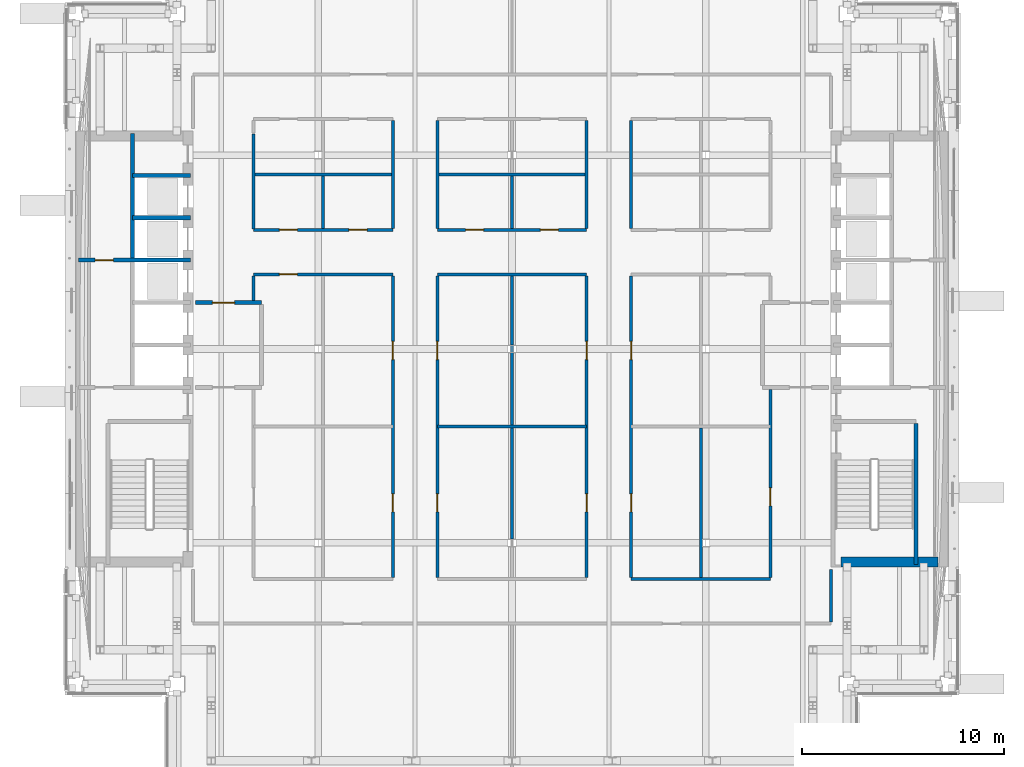
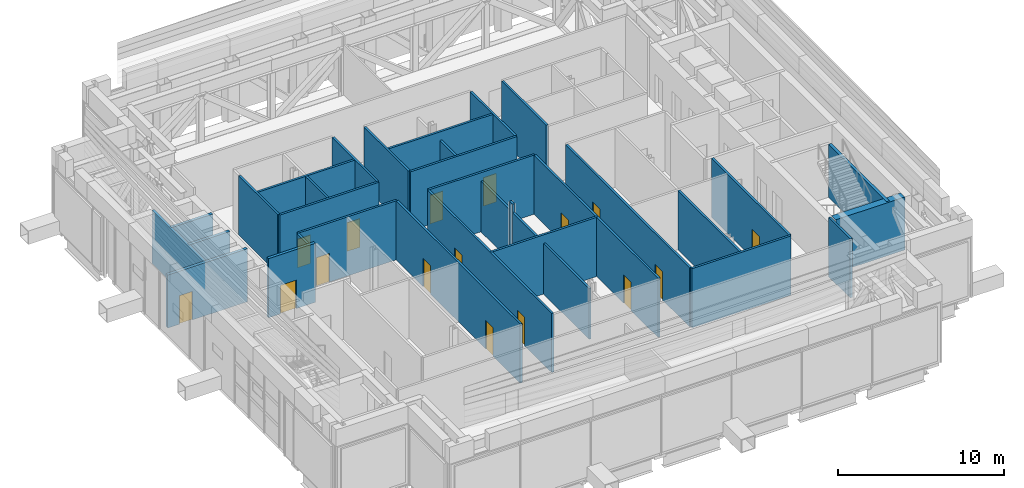
# One storey, part 12 of 29: 34 walls, 16 doors, 16 openings.
"""IFC4 building model written with IfcOpenShell, lengths in metres."""

from ifc_helpers import new_model, si_unit, direction, frame, frame_2d, origin, place, context, subcontext, project, spatial, rectangle, extrude, material, layer, layer_set, type_object, element, fill, save


model = new_model("IFC4")

# Units and contexts
model_context = context("Model", 3, precision=1e-05, world=origin(), true_north=direction((0.0, 1.0)))
body_context = subcontext(model_context, "Body", "Model", "MODEL_VIEW")
ifc_project = project(units=[si_unit("LENGTHUNIT", "METRE"), si_unit("AREAUNIT", "SQUARE_METRE"), si_unit("VOLUMEUNIT", "CUBIC_METRE"), si_unit("PLANEANGLEUNIT", "RADIAN"), si_unit("MASSUNIT", "GRAM", prefix="KILO")], contexts=[model_context])

# Site, building, storey
site_placement = place(None, origin())
site = spatial("IfcSite", under=ifc_project, at=site_placement, CompositionType="ELEMENT")
building_placement = place(site_placement, origin())
building = spatial("IfcBuilding", under=site, at=building_placement, Name="Cobrizo Arcos Hotel Tower", CompositionType="ELEMENT")
storey_placement = place(building_placement, frame((0.0, 0.0, 186.5)))
storey = spatial("IfcBuildingStorey", under=building, at=storey_placement, Name="L48", CompositionType="ELEMENT", Elevation=186.5)

# Walls
ifc_material_1 = material(Name="Gypsum board partition")
ifc_layer_1 = layer(ifc_material_1, 0.14990234375)
ifc_layer_set_1 = layer_set([ifc_layer_1], Name="Corridor wall EI 60 150")
wall_type_1 = type_object("IfcWallType", Name="Corridor wall EI 60 150", PredefinedType="PARTITIONING", material=ifc_layer_set_1)
wall_1_placement = place(storey_placement, frame((5.89990234375, -11.39990234375, 0.0), z_axis=(0.0, 0.0, 1.0), x_axis=(1.0, 0.0, 0.0)))
element("IfcWall", 1, at=wall_1_placement, inside=storey, type_object=wall_type_1, Name="Partition 004", PredefinedType="PARTITIONING", context=body_context, shape_type="SweptSolid", body=[
    extrude(rectangle(XDim=6.900146484375, YDim=0.14990234375, at=frame_2d((3.4501953125, 0.0))), origin(), (0.0, 0.0, 1.0), 4.35009765625),
])
wall_2_placement = place(storey_placement, frame((-3.699951171875, -3.85009765625, 0.0), z_axis=(0.0, 0.0, 1.0), x_axis=(1.0, 0.0, 0.0)))
element("IfcWall", 2, at=wall_2_placement, inside=storey, type_object=wall_type_1, Name="Partition 006", PredefinedType="PARTITIONING", context=body_context, shape_type="SweptSolid", body=[
    extrude(rectangle(XDim=7.39990234375, YDim=0.14990234375, at=frame_2d((3.699951171875, 0.0))), origin(), (0.0, 0.0, 1.0), 4.35009765625),
])

# Wall, opening, door
wall_3_placement = place(storey_placement, frame((-12.800048828125, 3.699951171875, 0.0), z_axis=(0.0, 0.0, 1.0), x_axis=(1.0, 0.0, 0.0)))
wall_3 = element("IfcWall", 3, at=wall_3_placement, inside=storey, type_object=wall_type_1, Name="Partition 020", PredefinedType="PARTITIONING", context=body_context, shape_type="SweptSolid", body=[
    extrude(rectangle(XDim=6.900146484375, YDim=0.14990234375, at=frame_2d((3.4501953125, 0.0))), origin(), (0.0, 0.0, 1.0), 4.35009765625),
])
opening_1_placement = place(wall_3_placement, frame((1.27490234375, 0.0, 0.0)))
opening_1 = element("IfcOpeningElement", 4, at=opening_1_placement, cuts=wall_3, Name="Opening RD-26", PredefinedType="OPENING", context=body_context, shape_type="SweptSolid", body=[
    extrude(rectangle(XDim=0.89990234375, YDim=2.10009765625, at=frame_2d((0.449951171875, 1.050048828125))), frame((0.0, 0.0869140625, 0.0), z_axis=(0.0, -1.0, 0.0), x_axis=(1.0, 0.0, 0.0)), (0.0, 0.0, 1.0), 0.173828125),
])
ifc_material_2 = material(Name="Timber door leaf", Category="wood")
door_type_1 = type_object("IfcDoorType", Name="Room door FD30 900x2100", OperationType="SINGLE_SWING_LEFT", PredefinedType="DOOR", material=ifc_material_2)
door_1_placement = place(opening_1_placement, origin())
door_1 = element("IfcDoor", 5, at=door_1_placement, inside=storey, type_object=door_type_1, Name="Door RD-26", OperationType="SINGLE_SWING_LEFT", OverallHeight=2.10009765625, OverallWidth=0.89990234375, PredefinedType="DOOR", context=body_context, shape_type="SweptSolid", body=[
    extrude(rectangle(XDim=0.89990234375, YDim=2.10009765625, at=frame_2d((0.449951171875, 1.050048828125))), frame((0.0, 0.02490234375, 0.0), z_axis=(0.0, -1.0, 0.0), x_axis=(1.0, 0.0, 0.0)), (0.0, 0.0, 1.0), 0.050048828125),
])
fill(opening_1, door_1)

# Wall
wall_4_placement = place(storey_placement, frame((-3.699951171875, 3.699951171875, 0.0), z_axis=(0.0, 0.0, 1.0), x_axis=(1.0, 0.0, 0.0)))
element("IfcWall", 6, at=wall_4_placement, inside=storey, type_object=wall_type_1, Name="Partition 021", PredefinedType="PARTITIONING", context=body_context, shape_type="SweptSolid", body=[
    extrude(rectangle(XDim=7.39990234375, YDim=0.14990234375, at=frame_2d((3.699951171875, 0.0))), origin(), (0.0, 0.0, 1.0), 4.35009765625),
])

# Wall, openings, doors
wall_5_placement = place(storey_placement, frame((-12.800048828125, 5.89990234375, 0.0), z_axis=(0.0, 0.0, 1.0), x_axis=(1.0, 0.0, 0.0)))
wall_5 = element("IfcWall", 7, at=wall_5_placement, inside=storey, type_object=wall_type_1, Name="Partition 025", PredefinedType="PARTITIONING", context=body_context, shape_type="SweptSolid", body=[
    extrude(rectangle(XDim=6.900146484375, YDim=0.14990234375, at=frame_2d((3.4501953125, 0.0))), origin(), (0.0, 0.0, 1.0), 4.35009765625),
])
opening_2_placement = place(wall_5_placement, frame((1.27490234375, 0.0, 0.0)))
opening_2 = element("IfcOpeningElement", 8, at=opening_2_placement, cuts=wall_5, Name="Opening RD-29", PredefinedType="OPENING", context=body_context, shape_type="SweptSolid", body=[
    extrude(rectangle(XDim=0.89990234375, YDim=2.10009765625, at=frame_2d((0.449951171875, 1.050048828125))), frame((0.0, 0.0869140625, 0.0), z_axis=(0.0, -1.0, 0.0), x_axis=(1.0, 0.0, 0.0)), (0.0, 0.0, 1.0), 0.173828125),
])
opening_3_placement = place(wall_5_placement, frame((4.72509765625, 0.0, 0.0)))
opening_3 = element("IfcOpeningElement", 9, at=opening_3_placement, cuts=wall_5, Name="Opening RD-31", PredefinedType="OPENING", context=body_context, shape_type="SweptSolid", body=[
    extrude(rectangle(XDim=0.89990234375, YDim=2.10009765625, at=frame_2d((0.449951171875, 1.050048828125))), frame((0.0, 0.0869140625, 0.0), z_axis=(0.0, -1.0, 0.0), x_axis=(1.0, 0.0, 0.0)), (0.0, 0.0, 1.0), 0.173828125),
])
door_2_placement = place(opening_2_placement, origin())
door_2 = element("IfcDoor", 10, at=door_2_placement, inside=storey, type_object=door_type_1, Name="Door RD-29", OperationType="SINGLE_SWING_RIGHT", OverallHeight=2.10009765625, OverallWidth=0.89990234375, PredefinedType="DOOR", context=body_context, shape_type="SweptSolid", body=[
    extrude(rectangle(XDim=0.89990234375, YDim=2.10009765625, at=frame_2d((0.449951171875, 1.050048828125))), frame((0.0, 0.02490234375, 0.0), z_axis=(0.0, -1.0, 0.0), x_axis=(1.0, 0.0, 0.0)), (0.0, 0.0, 1.0), 0.050048828125),
])
fill(opening_2, door_2)
door_3_placement = place(opening_3_placement, origin())
door_3 = element("IfcDoor", 11, at=door_3_placement, inside=storey, type_object=door_type_1, Name="Door RD-31", OperationType="SINGLE_SWING_RIGHT", OverallHeight=2.10009765625, OverallWidth=0.89990234375, PredefinedType="DOOR", context=body_context, shape_type="SweptSolid", body=[
    extrude(rectangle(XDim=0.89990234375, YDim=2.10009765625, at=frame_2d((0.449951171875, 1.050048828125))), frame((0.0, 0.02490234375, 0.0), z_axis=(0.0, -1.0, 0.0), x_axis=(1.0, 0.0, 0.0)), (0.0, 0.0, 1.0), 0.050048828125),
])
fill(opening_3, door_3)

wall_6_placement = place(storey_placement, frame((-3.699951171875, 5.89990234375, 0.0), z_axis=(0.0, 0.0, 1.0), x_axis=(1.0, 0.0, 0.0)))
wall_6 = element("IfcWall", 12, at=wall_6_placement, inside=storey, type_object=wall_type_1, Name="Partition 026", PredefinedType="PARTITIONING", context=body_context, shape_type="SweptSolid", body=[
    extrude(rectangle(XDim=7.39990234375, YDim=0.14990234375, at=frame_2d((3.699951171875, 0.0))), origin(), (0.0, 0.0, 1.0), 4.35009765625),
])
opening_4_placement = place(wall_6_placement, frame((1.39990234375, 0.0, 0.0)))
opening_4 = element("IfcOpeningElement", 13, at=opening_4_placement, cuts=wall_6, Name="Opening RD-21", PredefinedType="OPENING", context=body_context, shape_type="SweptSolid", body=[
    extrude(rectangle(XDim=0.89990234375, YDim=2.10009765625, at=frame_2d((0.449951171875, 1.050048828125))), frame((0.0, 0.0869140625, 0.0), z_axis=(0.0, -1.0, 0.0), x_axis=(1.0, 0.0, 0.0)), (0.0, 0.0, 1.0), 0.173828125),
])
opening_5_placement = place(wall_6_placement, frame((5.10009765625, 0.0, 0.0)))
opening_5 = element("IfcOpeningElement", 14, at=opening_5_placement, cuts=wall_6, Name="Opening RD-23", PredefinedType="OPENING", context=body_context, shape_type="SweptSolid", body=[
    extrude(rectangle(XDim=0.89990234375, YDim=2.10009765625, at=frame_2d((0.449951171875, 1.050048828125))), frame((0.0, 0.0869140625, 0.0), z_axis=(0.0, -1.0, 0.0), x_axis=(1.0, 0.0, 0.0)), (0.0, 0.0, 1.0), 0.173828125),
])
door_4_placement = place(opening_4_placement, origin())
door_4 = element("IfcDoor", 15, at=door_4_placement, inside=storey, type_object=door_type_1, Name="Door RD-21", OperationType="SINGLE_SWING_RIGHT", OverallHeight=2.10009765625, OverallWidth=0.89990234375, PredefinedType="DOOR", context=body_context, shape_type="SweptSolid", body=[
    extrude(rectangle(XDim=0.89990234375, YDim=2.10009765625, at=frame_2d((0.449951171875, 1.050048828125))), frame((0.0, 0.02490234375, 0.0), z_axis=(0.0, -1.0, 0.0), x_axis=(1.0, 0.0, 0.0)), (0.0, 0.0, 1.0), 0.050048828125),
])
fill(opening_4, door_4)
door_5_placement = place(opening_5_placement, origin())
door_5 = element("IfcDoor", 16, at=door_5_placement, inside=storey, type_object=door_type_1, Name="Door RD-23", OperationType="SINGLE_SWING_LEFT", OverallHeight=2.10009765625, OverallWidth=0.89990234375, PredefinedType="DOOR", context=body_context, shape_type="SweptSolid", body=[
    extrude(rectangle(XDim=0.89990234375, YDim=2.10009765625, at=frame_2d((0.449951171875, 1.050048828125))), frame((0.0, 0.02490234375, 0.0), z_axis=(0.0, -1.0, 0.0), x_axis=(1.0, 0.0, 0.0)), (0.0, 0.0, 1.0), 0.050048828125),
])
fill(opening_5, door_5)

# Walls
wall_7_placement = place(storey_placement, frame((-12.800048828125, 8.64990234375, 0.0), z_axis=(0.0, 0.0, 1.0), x_axis=(1.0, 0.0, 0.0)))
element("IfcWall", 17, at=wall_7_placement, inside=storey, type_object=wall_type_1, Name="Partition 032", PredefinedType="PARTITIONING", context=body_context, shape_type="SweptSolid", body=[
    extrude(rectangle(XDim=6.900146484375, YDim=0.14990234375, at=frame_2d((3.4501953125, 0.0))), origin(), (0.0, 0.0, 1.0), 4.35009765625),
])
wall_8_placement = place(storey_placement, frame((-3.699951171875, 8.64990234375, 0.0), z_axis=(0.0, 0.0, 1.0), x_axis=(1.0, 0.0, 0.0)))
element("IfcWall", 18, at=wall_8_placement, inside=storey, type_object=wall_type_1, Name="Partition 033", PredefinedType="PARTITIONING", context=body_context, shape_type="SweptSolid", body=[
    extrude(rectangle(XDim=7.39990234375, YDim=0.14990234375, at=frame_2d((3.699951171875, 0.0))), origin(), (0.0, 0.0, 1.0), 4.35009765625),
])
wall_9_placement = place(storey_placement, frame((-12.800048828125, 2.39990234375, 0.0), z_axis=(0.0, 0.0, 1.0), x_axis=(0.0, 1.0, 0.0)))
element("IfcWall", 19, at=wall_9_placement, inside=storey, type_object=wall_type_1, Name="Partition 046", PredefinedType="PARTITIONING", context=body_context, shape_type="SweptSolid", body=[
    extrude(rectangle(XDim=1.22509765625, YDim=0.14990234375, at=frame_2d((0.612548828125, 0.0))), origin(), (0.0, 0.0, 1.0), 4.35009765625),
])
wall_10_placement = place(storey_placement, frame((-12.800048828125, 5.949951171875, 0.0), z_axis=(0.0, 0.0, 1.0), x_axis=(0.0, 1.0, 0.0)))
element("IfcWall", 20, at=wall_10_placement, inside=storey, type_object=wall_type_1, Name="Partition 047", PredefinedType="PARTITIONING", context=body_context, shape_type="SweptSolid", body=[
    extrude(rectangle(XDim=4.699951171875, YDim=0.14990234375, at=frame_2d((2.35009765625, 0.0))), origin(), (0.0, 0.0, 1.0), 4.35009765625),
])
wall_11_placement = place(storey_placement, frame((-9.35009765625, 5.97509765625, 0.0), z_axis=(0.0, 0.0, 1.0), x_axis=(0.0, 1.0, 0.0)))
element("IfcWall", 21, at=wall_11_placement, inside=storey, type_object=wall_type_1, Name="Partition 052", PredefinedType="PARTITIONING", context=body_context, shape_type="SweptSolid", body=[
    extrude(rectangle(XDim=2.599853515625, YDim=0.14990234375, at=frame_2d((1.2998046875, 0.0))), origin(), (0.0, 0.0, 1.0), 4.35009765625),
])

# Wall, openings, doors
wall_12_placement = place(storey_placement, frame((-5.89990234375, -11.324951171875, 0.0), z_axis=(0.0, 0.0, 1.0), x_axis=(0.0, 1.0, 0.0)))
wall_12 = element("IfcWall", 22, at=wall_12_placement, inside=storey, type_object=wall_type_1, Name="Partition 054", PredefinedType="PARTITIONING", context=body_context, shape_type="SweptSolid", body=[
    extrude(rectangle(XDim=14.949951171875, YDim=0.14990234375, at=frame_2d((7.47509765625, 0.0))), origin(), (0.0, 0.0, 1.0), 4.35009765625),
])
opening_6_placement = place(wall_12_placement, frame((3.25, 0.0, 0.0)))
opening_6 = element("IfcOpeningElement", 23, at=opening_6_placement, cuts=wall_12, Name="Opening RD-27", PredefinedType="OPENING", context=body_context, shape_type="SweptSolid", body=[
    extrude(rectangle(XDim=0.89990234375, YDim=2.10009765625, at=frame_2d((0.449951171875, 1.050048828125))), frame((0.0, 0.0869140625, 0.0), z_axis=(0.0, -1.0, 0.0), x_axis=(1.0, 0.0, 0.0)), (0.0, 0.0, 1.0), 0.173828125),
])
opening_7_placement = place(wall_12_placement, frame((10.800048828125, 0.0, 0.0)))
opening_7 = element("IfcOpeningElement", 24, at=opening_7_placement, cuts=wall_12, Name="Opening RD-28", PredefinedType="OPENING", context=body_context, shape_type="SweptSolid", body=[
    extrude(rectangle(XDim=0.89990234375, YDim=2.10009765625, at=frame_2d((0.449951171875, 1.050048828125))), frame((0.0, 0.0869140625, 0.0), z_axis=(0.0, -1.0, 0.0), x_axis=(1.0, 0.0, 0.0)), (0.0, 0.0, 1.0), 0.173828125),
])
door_6_placement = place(opening_6_placement, origin())
door_6 = element("IfcDoor", 25, at=door_6_placement, inside=storey, type_object=door_type_1, Name="Door RD-27", OperationType="SINGLE_SWING_LEFT", OverallHeight=2.10009765625, OverallWidth=0.89990234375, PredefinedType="DOOR", context=body_context, shape_type="SweptSolid", body=[
    extrude(rectangle(XDim=0.89990234375, YDim=2.10009765625, at=frame_2d((0.449951171875, 1.050048828125))), frame((0.0, 0.02490234375, 0.0), z_axis=(0.0, -1.0, 0.0), x_axis=(1.0, 0.0, 0.0)), (0.0, 0.0, 1.0), 0.050048828125),
])
fill(opening_6, door_6)
door_7_placement = place(opening_7_placement, origin())
door_7 = element("IfcDoor", 26, at=door_7_placement, inside=storey, type_object=door_type_1, Name="Door RD-28", OperationType="SINGLE_SWING_LEFT", OverallHeight=2.10009765625, OverallWidth=0.89990234375, PredefinedType="DOOR", context=body_context, shape_type="SweptSolid", body=[
    extrude(rectangle(XDim=0.89990234375, YDim=2.10009765625, at=frame_2d((0.449951171875, 1.050048828125))), frame((0.0, 0.02490234375, 0.0), z_axis=(0.0, -1.0, 0.0), x_axis=(1.0, 0.0, 0.0)), (0.0, 0.0, 1.0), 0.050048828125),
])
fill(opening_7, door_7)

# Wall
wall_13_placement = place(storey_placement, frame((-5.89990234375, 5.97509765625, 0.0), z_axis=(0.0, 0.0, 1.0), x_axis=(0.0, 1.0, 0.0)))
element("IfcWall", 27, at=wall_13_placement, inside=storey, type_object=wall_type_1, Name="Partition 055", PredefinedType="PARTITIONING", context=body_context, shape_type="SweptSolid", body=[
    extrude(rectangle(XDim=5.349853515625, YDim=0.14990234375, at=frame_2d((2.6748046875, 0.0))), origin(), (0.0, 0.0, 1.0), 4.35009765625),
])

# Wall, openings, doors
wall_14_placement = place(storey_placement, frame((-3.699951171875, -11.324951171875, 0.0), z_axis=(0.0, 0.0, 1.0), x_axis=(0.0, 1.0, 0.0)))
wall_14 = element("IfcWall", 28, at=wall_14_placement, inside=storey, type_object=wall_type_1, Name="Partition 056", PredefinedType="PARTITIONING", context=body_context, shape_type="SweptSolid", body=[
    extrude(rectangle(XDim=14.949951171875, YDim=0.14990234375, at=frame_2d((7.47509765625, 0.0))), origin(), (0.0, 0.0, 1.0), 4.35009765625),
])
opening_8_placement = place(wall_14_placement, frame((3.25, 0.0, 0.0)))
opening_8 = element("IfcOpeningElement", 29, at=opening_8_placement, cuts=wall_14, Name="Opening RD-17", PredefinedType="OPENING", context=body_context, shape_type="SweptSolid", body=[
    extrude(rectangle(XDim=0.89990234375, YDim=2.10009765625, at=frame_2d((0.449951171875, 1.050048828125))), frame((0.0, 0.0869140625, 0.0), z_axis=(0.0, -1.0, 0.0), x_axis=(1.0, 0.0, 0.0)), (0.0, 0.0, 1.0), 0.173828125),
])
opening_9_placement = place(wall_14_placement, frame((10.800048828125, 0.0, 0.0)))
opening_9 = element("IfcOpeningElement", 30, at=opening_9_placement, cuts=wall_14, Name="Opening RD-18", PredefinedType="OPENING", context=body_context, shape_type="SweptSolid", body=[
    extrude(rectangle(XDim=0.89990234375, YDim=2.10009765625, at=frame_2d((0.449951171875, 1.050048828125))), frame((0.0, 0.0869140625, 0.0), z_axis=(0.0, -1.0, 0.0), x_axis=(1.0, 0.0, 0.0)), (0.0, 0.0, 1.0), 0.173828125),
])
door_8_placement = place(opening_8_placement, origin())
door_8 = element("IfcDoor", 31, at=door_8_placement, inside=storey, type_object=door_type_1, Name="Door RD-17", OperationType="SINGLE_SWING_RIGHT", OverallHeight=2.10009765625, OverallWidth=0.89990234375, PredefinedType="DOOR", context=body_context, shape_type="SweptSolid", body=[
    extrude(rectangle(XDim=0.89990234375, YDim=2.10009765625, at=frame_2d((0.449951171875, 1.050048828125))), frame((0.0, 0.02490234375, 0.0), z_axis=(0.0, -1.0, 0.0), x_axis=(1.0, 0.0, 0.0)), (0.0, 0.0, 1.0), 0.050048828125),
])
fill(opening_8, door_8)
door_9_placement = place(opening_9_placement, origin())
door_9 = element("IfcDoor", 32, at=door_9_placement, inside=storey, type_object=door_type_1, Name="Door RD-18", OperationType="SINGLE_SWING_LEFT", OverallHeight=2.10009765625, OverallWidth=0.89990234375, PredefinedType="DOOR", context=body_context, shape_type="SweptSolid", body=[
    extrude(rectangle(XDim=0.89990234375, YDim=2.10009765625, at=frame_2d((0.449951171875, 1.050048828125))), frame((0.0, 0.02490234375, 0.0), z_axis=(0.0, -1.0, 0.0), x_axis=(1.0, 0.0, 0.0)), (0.0, 0.0, 1.0), 0.050048828125),
])
fill(opening_9, door_9)

# Walls
wall_15_placement = place(storey_placement, frame((-3.699951171875, 5.97509765625, 0.0), z_axis=(0.0, 0.0, 1.0), x_axis=(0.0, 1.0, 0.0)))
element("IfcWall", 33, at=wall_15_placement, inside=storey, type_object=wall_type_1, Name="Partition 057", PredefinedType="PARTITIONING", context=body_context, shape_type="SweptSolid", body=[
    extrude(rectangle(XDim=5.349853515625, YDim=0.14990234375, at=frame_2d((2.6748046875, 0.0))), origin(), (0.0, 0.0, 1.0), 4.35009765625),
])
wall_16_placement = place(storey_placement, frame((0.0, -9.4130859375, 0.0), z_axis=(0.0, 0.0, 1.0), x_axis=(0.0, 1.0, 0.0)))
element("IfcWall", 34, at=wall_16_placement, inside=storey, type_object=wall_type_1, Name="Partition 062", PredefinedType="PARTITIONING", context=body_context, shape_type="SweptSolid", body=[
    extrude(rectangle(XDim=5.488037109375, YDim=0.14990234375, at=frame_2d((2.744140625, 0.0))), origin(), (0.0, 0.0, 1.0), 3.72802734375),
])
wall_17_placement = place(storey_placement, frame((0.0, -3.77490234375, 0.0), z_axis=(0.0, 0.0, 1.0), x_axis=(0.0, 1.0, 0.0)))
element("IfcWall", 35, at=wall_17_placement, inside=storey, type_object=wall_type_1, Name="Partition 063", PredefinedType="PARTITIONING", context=body_context, shape_type="SweptSolid", body=[
    extrude(rectangle(XDim=3.587890625, YDim=0.14990234375, at=frame_2d((1.7939453125, 0.0))), origin(), (0.0, 0.0, 1.0), 3.72802734375),
])
wall_18_placement = place(storey_placement, frame((0.0, -0.18701171875, 0.0), z_axis=(0.0, 0.0, 1.0), x_axis=(0.0, 1.0, 0.0)))
element("IfcWall", 36, at=wall_18_placement, inside=storey, type_object=wall_type_1, Name="Partition 064", PredefinedType="PARTITIONING", context=body_context, shape_type="SweptSolid", body=[
    extrude(rectangle(XDim=0.3740234375, YDim=0.14990234375, at=frame_2d((0.18701171875, 0.0))), origin(), (0.0, 0.0, 1.0), 4.35009765625),
])
wall_19_placement = place(storey_placement, frame((0.0, 0.18701171875, 0.0), z_axis=(0.0, 0.0, 1.0), x_axis=(0.0, 1.0, 0.0)))
element("IfcWall", 37, at=wall_19_placement, inside=storey, type_object=wall_type_1, Name="Partition 065", PredefinedType="PARTITIONING", context=body_context, shape_type="SweptSolid", body=[
    extrude(rectangle(XDim=3.43798828125, YDim=0.14990234375, at=frame_2d((1.718994140625, 0.0))), origin(), (0.0, 0.0, 1.0), 3.72802734375),
])
wall_20_placement = place(storey_placement, frame((0.0, 5.97509765625, 0.0), z_axis=(0.0, 0.0, 1.0), x_axis=(0.0, 1.0, 0.0)))
element("IfcWall", 38, at=wall_20_placement, inside=storey, type_object=wall_type_1, Name="Partition 066", PredefinedType="PARTITIONING", context=body_context, shape_type="SweptSolid", body=[
    extrude(rectangle(XDim=2.599853515625, YDim=0.14990234375, at=frame_2d((1.2998046875, 0.0))), origin(), (0.0, 0.0, 1.0), 3.72802734375),
])

# Wall, openings, doors
wall_21_placement = place(storey_placement, frame((3.699951171875, -11.324951171875, 0.0), z_axis=(0.0, 0.0, 1.0), x_axis=(0.0, 1.0, 0.0)))
wall_21 = element("IfcWall", 39, at=wall_21_placement, inside=storey, type_object=wall_type_1, Name="Partition 072", PredefinedType="PARTITIONING", context=body_context, shape_type="SweptSolid", body=[
    extrude(rectangle(XDim=14.949951171875, YDim=0.14990234375, at=frame_2d((7.47509765625, 0.0))), origin(), (0.0, 0.0, 1.0), 4.35009765625),
])
opening_10_placement = place(wall_21_placement, frame((3.25, 0.0, 0.0)))
opening_10 = element("IfcOpeningElement", 40, at=opening_10_placement, cuts=wall_21, Name="Opening RD-19", PredefinedType="OPENING", context=body_context, shape_type="SweptSolid", body=[
    extrude(rectangle(XDim=0.89990234375, YDim=2.10009765625, at=frame_2d((0.449951171875, 1.050048828125))), frame((0.0, 0.0869140625, 0.0), z_axis=(0.0, -1.0, 0.0), x_axis=(1.0, 0.0, 0.0)), (0.0, 0.0, 1.0), 0.173828125),
])
opening_11_placement = place(wall_21_placement, frame((10.800048828125, 0.0, 0.0)))
opening_11 = element("IfcOpeningElement", 41, at=opening_11_placement, cuts=wall_21, Name="Opening RD-20", PredefinedType="OPENING", context=body_context, shape_type="SweptSolid", body=[
    extrude(rectangle(XDim=0.89990234375, YDim=2.10009765625, at=frame_2d((0.449951171875, 1.050048828125))), frame((0.0, 0.0869140625, 0.0), z_axis=(0.0, -1.0, 0.0), x_axis=(1.0, 0.0, 0.0)), (0.0, 0.0, 1.0), 0.173828125),
])
door_10_placement = place(opening_10_placement, origin())
door_10 = element("IfcDoor", 42, at=door_10_placement, inside=storey, type_object=door_type_1, Name="Door RD-19", OperationType="SINGLE_SWING_LEFT", OverallHeight=2.10009765625, OverallWidth=0.89990234375, PredefinedType="DOOR", context=body_context, shape_type="SweptSolid", body=[
    extrude(rectangle(XDim=0.89990234375, YDim=2.10009765625, at=frame_2d((0.449951171875, 1.050048828125))), frame((0.0, 0.02490234375, 0.0), z_axis=(0.0, -1.0, 0.0), x_axis=(1.0, 0.0, 0.0)), (0.0, 0.0, 1.0), 0.050048828125),
])
fill(opening_10, door_10)
door_11_placement = place(opening_11_placement, origin())
door_11 = element("IfcDoor", 43, at=door_11_placement, inside=storey, type_object=door_type_1, Name="Door RD-20", OperationType="SINGLE_SWING_RIGHT", OverallHeight=2.10009765625, OverallWidth=0.89990234375, PredefinedType="DOOR", context=body_context, shape_type="SweptSolid", body=[
    extrude(rectangle(XDim=0.89990234375, YDim=2.10009765625, at=frame_2d((0.449951171875, 1.050048828125))), frame((0.0, 0.02490234375, 0.0), z_axis=(0.0, -1.0, 0.0), x_axis=(1.0, 0.0, 0.0)), (0.0, 0.0, 1.0), 0.050048828125),
])
fill(opening_11, door_11)

# Wall
wall_22_placement = place(storey_placement, frame((3.699951171875, 5.97509765625, 0.0), z_axis=(0.0, 0.0, 1.0), x_axis=(0.0, 1.0, 0.0)))
element("IfcWall", 44, at=wall_22_placement, inside=storey, type_object=wall_type_1, Name="Partition 073", PredefinedType="PARTITIONING", context=body_context, shape_type="SweptSolid", body=[
    extrude(rectangle(XDim=5.349853515625, YDim=0.14990234375, at=frame_2d((2.6748046875, 0.0))), origin(), (0.0, 0.0, 1.0), 4.35009765625),
])

# Wall, openings, doors
wall_23_placement = place(storey_placement, frame((5.89990234375, -11.324951171875, 0.0), z_axis=(0.0, 0.0, 1.0), x_axis=(0.0, 1.0, 0.0)))
wall_23 = element("IfcWall", 45, at=wall_23_placement, inside=storey, type_object=wall_type_1, Name="Partition 074", PredefinedType="PARTITIONING", context=body_context, shape_type="SweptSolid", body=[
    extrude(rectangle(XDim=14.949951171875, YDim=0.14990234375, at=frame_2d((7.47509765625, 0.0))), origin(), (0.0, 0.0, 1.0), 4.35009765625),
])
opening_12_placement = place(wall_23_placement, frame((3.25, 0.0, 0.0)))
opening_12 = element("IfcOpeningElement", 46, at=opening_12_placement, cuts=wall_23, Name="Opening RD-09", PredefinedType="OPENING", context=body_context, shape_type="SweptSolid", body=[
    extrude(rectangle(XDim=0.89990234375, YDim=2.10009765625, at=frame_2d((0.449951171875, 1.050048828125))), frame((0.0, 0.0869140625, 0.0), z_axis=(0.0, -1.0, 0.0), x_axis=(1.0, 0.0, 0.0)), (0.0, 0.0, 1.0), 0.173828125),
])
opening_13_placement = place(wall_23_placement, frame((10.800048828125, 0.0, 0.0)))
opening_13 = element("IfcOpeningElement", 47, at=opening_13_placement, cuts=wall_23, Name="Opening RD-10", PredefinedType="OPENING", context=body_context, shape_type="SweptSolid", body=[
    extrude(rectangle(XDim=0.89990234375, YDim=2.10009765625, at=frame_2d((0.449951171875, 1.050048828125))), frame((0.0, 0.0869140625, 0.0), z_axis=(0.0, -1.0, 0.0), x_axis=(1.0, 0.0, 0.0)), (0.0, 0.0, 1.0), 0.173828125),
])
door_12_placement = place(opening_12_placement, origin())
door_12 = element("IfcDoor", 48, at=door_12_placement, inside=storey, type_object=door_type_1, Name="Door RD-09", OperationType="SINGLE_SWING_LEFT", OverallHeight=2.10009765625, OverallWidth=0.89990234375, PredefinedType="DOOR", context=body_context, shape_type="SweptSolid", body=[
    extrude(rectangle(XDim=0.89990234375, YDim=2.10009765625, at=frame_2d((0.449951171875, 1.050048828125))), frame((0.0, 0.02490234375, 0.0), z_axis=(0.0, -1.0, 0.0), x_axis=(1.0, 0.0, 0.0)), (0.0, 0.0, 1.0), 0.050048828125),
])
fill(opening_12, door_12)
door_13_placement = place(opening_13_placement, origin())
door_13 = element("IfcDoor", 49, at=door_13_placement, inside=storey, type_object=door_type_1, Name="Door RD-10", OperationType="SINGLE_SWING_LEFT", OverallHeight=2.10009765625, OverallWidth=0.89990234375, PredefinedType="DOOR", context=body_context, shape_type="SweptSolid", body=[
    extrude(rectangle(XDim=0.89990234375, YDim=2.10009765625, at=frame_2d((0.449951171875, 1.050048828125))), frame((0.0, 0.02490234375, 0.0), z_axis=(0.0, -1.0, 0.0), x_axis=(1.0, 0.0, 0.0)), (0.0, 0.0, 1.0), 0.050048828125),
])
fill(opening_13, door_13)

# Walls
wall_24_placement = place(storey_placement, frame((5.89990234375, 5.97509765625, 0.0), z_axis=(0.0, 0.0, 1.0), x_axis=(0.0, 1.0, 0.0)))
element("IfcWall", 50, at=wall_24_placement, inside=storey, type_object=wall_type_1, Name="Partition 075", PredefinedType="PARTITIONING", context=body_context, shape_type="SweptSolid", body=[
    extrude(rectangle(XDim=5.349853515625, YDim=0.14990234375, at=frame_2d((2.6748046875, 0.0))), origin(), (0.0, 0.0, 1.0), 4.35009765625),
])
wall_25_placement = place(storey_placement, frame((9.35009765625, -11.324951171875, 0.0), z_axis=(0.0, 0.0, 1.0), x_axis=(0.0, 1.0, 0.0)))
element("IfcWall", 51, at=wall_25_placement, inside=storey, type_object=wall_type_1, Name="Partition 076", PredefinedType="PARTITIONING", context=body_context, shape_type="SweptSolid", body=[
    extrude(rectangle(XDim=7.39990234375, YDim=0.14990234375, at=frame_2d((3.699951171875, 0.0))), origin(), (0.0, 0.0, 1.0), 4.35009765625),
])

# Wall, opening, door
wall_26_placement = place(storey_placement, frame((12.800048828125, -11.324951171875, 0.0), z_axis=(0.0, 0.0, 1.0), x_axis=(0.0, 1.0, 0.0)))
wall_26 = element("IfcWall", 52, at=wall_26_placement, inside=storey, type_object=wall_type_1, Name="Partition 081", PredefinedType="PARTITIONING", context=body_context, shape_type="SweptSolid", body=[
    extrude(rectangle(XDim=9.324951171875, YDim=0.14990234375, at=frame_2d((4.66259765625, 0.0))), origin(), (0.0, 0.0, 1.0), 4.35009765625),
])
opening_14_placement = place(wall_26_placement, frame((3.550048828125, 0.0, 0.0)))
opening_14 = element("IfcOpeningElement", 53, at=opening_14_placement, cuts=wall_26, Name="Opening RD-11", PredefinedType="OPENING", context=body_context, shape_type="SweptSolid", body=[
    extrude(rectangle(XDim=0.89990234375, YDim=2.10009765625, at=frame_2d((0.449951171875, 1.050048828125))), frame((0.0, 0.0869140625, 0.0), z_axis=(0.0, -1.0, 0.0), x_axis=(1.0, 0.0, 0.0)), (0.0, 0.0, 1.0), 0.173828125),
])
door_14_placement = place(opening_14_placement, origin())
door_14 = element("IfcDoor", 54, at=door_14_placement, inside=storey, type_object=door_type_1, Name="Door RD-11", OperationType="SINGLE_SWING_RIGHT", OverallHeight=2.10009765625, OverallWidth=0.89990234375, PredefinedType="DOOR", context=body_context, shape_type="SweptSolid", body=[
    extrude(rectangle(XDim=0.89990234375, YDim=2.10009765625, at=frame_2d((0.449951171875, 1.050048828125))), frame((0.0, 0.02490234375, 0.0), z_axis=(0.0, -1.0, 0.0), x_axis=(1.0, 0.0, 0.0)), (0.0, 0.0, 1.0), 0.050048828125),
])
fill(opening_14, door_14)

# Walls
wall_27_placement = place(storey_placement, frame((15.800048828125, -13.52490234375, 0.0), z_axis=(0.0, 0.0, 1.0), x_axis=(0.0, 1.0, 0.0)))
element("IfcWall", 55, at=wall_27_placement, inside=storey, type_object=wall_type_1, Name="Partition 085", PredefinedType="PARTITIONING", context=body_context, shape_type="SweptSolid", body=[
    extrude(rectangle(XDim=2.60498046875, YDim=0.14990234375, at=frame_2d((1.302490234375, 0.0))), origin(), (0.0, 0.0, 1.0), 4.35009765625),
])
ifc_material_3 = material(Name="Concrete f'c 50 MPa", Category="concrete")
ifc_layer_2 = layer(ifc_material_3, 0.5)
ifc_layer_set_2 = layer_set([ifc_layer_2], Name="RC core wall 500 f'c 50")
wall_type_2 = type_object("IfcWallType", Name="RC core wall 500 f'c 50", PredefinedType="SHEAR", material=ifc_layer_set_2)
wall_28_placement = place(storey_placement, frame((16.300048828125, -10.550048828125, 0.0), z_axis=(0.0, 0.0, 1.0), x_axis=(1.0, 0.0, 0.0)))
element("IfcWall", 56, at=wall_28_placement, inside=storey, type_object=wall_type_2, Name="Core wall CW3, east core, south end, L48", PredefinedType="SHEAR", context=body_context, shape_type="SweptSolid", body=[
    extrude(rectangle(XDim=4.800048828125, YDim=0.5, at=frame_2d((2.39990234375, 0.0))), origin(), (0.0, 0.0, 1.0), 3.89990234375),
])

# Wall, opening, door
ifc_layer_3 = layer(ifc_material_1, 0.199951171875)
ifc_layer_set_3 = layer_set([ifc_layer_3], Name="Shaft wall EI 120 200")
wall_type_3 = type_object("IfcWallType", Name="Shaft wall EI 120 200", PredefinedType="PARTITIONING", material=ifc_layer_set_3)
wall_29_placement = place(storey_placement, frame((-15.679931640625, 2.300048828125, 0.0), z_axis=(0.0, 0.0, 1.0), x_axis=(1.0, 0.0, 0.0)))
wall_29 = element("IfcWall", 57, at=wall_29_placement, inside=storey, type_object=wall_type_3, Name="Partition 017", PredefinedType="PARTITIONING", context=body_context, shape_type="SweptSolid", body=[
    extrude(rectangle(XDim=3.280029296875, YDim=0.199951171875, at=frame_2d((1.64013671875, 0.0))), origin(), (0.0, 0.0, 1.0), 4.35009765625),
])
opening_15_placement = place(wall_29_placement, frame((0.840087890625, 0.0, 0.0)))
opening_15 = element("IfcOpeningElement", 58, at=opening_15_placement, cuts=wall_29, Name="Opening FD-02", PredefinedType="OPENING", context=body_context, shape_type="SweptSolid", body=[
    extrude(rectangle(XDim=1.10009765625, YDim=2.10009765625, at=frame_2d((0.550048828125, 1.050048828125))), frame((0.0, 0.112060546875, 0.0), z_axis=(0.0, -1.0, 0.0), x_axis=(1.0, 0.0, 0.0)), (0.0, 0.0, 1.0), 0.223876953125),
])
ifc_material_4 = material(Name="Steel door leaf", Category="steel")
door_type_2 = type_object("IfcDoorType", Name="Fire door FD60 1100x2100", OperationType="SINGLE_SWING_LEFT", PredefinedType="DOOR", material=ifc_material_4)
door_15_placement = place(opening_15_placement, origin())
door_15 = element("IfcDoor", 59, at=door_15_placement, inside=storey, type_object=door_type_2, Name="Door FD-02", OperationType="SINGLE_SWING_RIGHT", OverallHeight=2.10009765625, OverallWidth=1.10009765625, PredefinedType="DOOR", context=body_context, shape_type="SweptSolid", body=[
    extrude(rectangle(XDim=1.10009765625, YDim=2.10009765625, at=frame_2d((0.550048828125, 1.050048828125))), frame((0.0, 0.02490234375, 0.0), z_axis=(0.0, -1.0, 0.0), x_axis=(1.0, 0.0, 0.0)), (0.0, 0.0, 1.0), 0.050048828125),
])
fill(opening_15, door_15)

wall_30_placement = place(storey_placement, frame((-21.47998046875, 4.39990234375, 0.0), z_axis=(0.0, 0.0, 1.0), x_axis=(1.0, 0.0, 0.0)))
wall_30 = element("IfcWall", 60, at=wall_30_placement, inside=storey, type_object=wall_type_3, Name="Partition 023", PredefinedType="PARTITIONING", context=body_context, shape_type="SweptSolid", body=[
    extrude(rectangle(XDim=5.56005859375, YDim=0.199951171875, at=frame_2d((2.780029296875, 0.0))), origin(), (0.0, 0.0, 1.0), 3.89990234375),
])
opening_16_placement = place(wall_30_placement, frame((0.830078125, 0.0, 0.0)))
opening_16 = element("IfcOpeningElement", 61, at=opening_16_placement, cuts=wall_30, Name="Opening RD-03", PredefinedType="OPENING", context=body_context, shape_type="SweptSolid", body=[
    extrude(rectangle(XDim=0.89990234375, YDim=2.10009765625, at=frame_2d((0.449951171875, 1.050048828125))), frame((0.0, 0.112060546875, 0.0), z_axis=(0.0, -1.0, 0.0), x_axis=(1.0, 0.0, 0.0)), (0.0, 0.0, 1.0), 0.223876953125),
])
door_16_placement = place(opening_16_placement, origin())
door_16 = element("IfcDoor", 62, at=door_16_placement, inside=storey, type_object=door_type_1, Name="Door RD-03", OperationType="SINGLE_SWING_RIGHT", OverallHeight=2.10009765625, OverallWidth=0.89990234375, PredefinedType="DOOR", context=body_context, shape_type="SweptSolid", body=[
    extrude(rectangle(XDim=0.89990234375, YDim=2.10009765625, at=frame_2d((0.449951171875, 1.050048828125))), frame((0.0, 0.02490234375, 0.0), z_axis=(0.0, -1.0, 0.0), x_axis=(1.0, 0.0, 0.0)), (0.0, 0.0, 1.0), 0.050048828125),
])
fill(opening_16, door_16)

# Walls
for number, where, z_axis, x_axis, name in (
    (63, (-18.800048828125, 6.5, 0.0), (0.0, 0.0, 1.0), (1.0, 0.0, 0.0), "Partition 028"),
    (64, (-18.800048828125, 8.60009765625, 0.0), (0.0, 0.0, 1.0), (1.0, 0.0, 0.0), "Partition 030"),
):
    element("IfcWall", number, at=place(storey_placement, frame(where, z_axis=z_axis, x_axis=x_axis)), inside=storey, type_object=wall_type_3, Name=name, PredefinedType="PARTITIONING", context=body_context, shape_type="SweptSolid", body=[
        extrude(rectangle(XDim=2.880126953125, YDim=0.199951171875, at=frame_2d((1.43994140625, 0.0))), origin(), (0.0, 0.0, 1.0), 3.89990234375),
    ])
wall_31_placement = place(storey_placement, frame((-18.800048828125, 4.5, 0.0), z_axis=(0.0, 0.0, 1.0), x_axis=(0.0, 1.0, 0.0)))
element("IfcWall", 65, at=wall_31_placement, inside=storey, type_object=wall_type_3, Name="Partition 042", PredefinedType="PARTITIONING", context=body_context, shape_type="SweptSolid", body=[
    extrude(rectangle(XDim=6.179931640625, YDim=0.199951171875, at=frame_2d((3.08984375, 0.0))), origin(), (0.0, 0.0, 1.0), 3.89990234375),
])
ifc_material_5 = material(Name="Concrete f'c 40 MPa", Category="concrete")
ifc_layer_4 = layer(ifc_material_5, 0.199951171875)
ifc_layer_set_4 = layer_set([ifc_layer_4], Name="Stair shaft wall 200")
wall_type_4 = type_object("IfcWallType", Name="Stair shaft wall 200", PredefinedType="SHEAR", material=ifc_layer_set_4)
wall_32_placement = place(storey_placement, frame((20.0, -10.679931640625, 0.0), z_axis=(0.0, 0.0, 1.0), x_axis=(0.0, 1.0, 0.0)))
element("IfcWall", 66, at=wall_32_placement, inside=storey, type_object=wall_type_4, Name="Stair shaft wall E", PredefinedType="SHEAR", context=body_context, shape_type="SweptSolid", body=[
    extrude(rectangle(XDim=6.97998046875, YDim=0.199951171875, at=frame_2d((3.489990234375, 0.0))), origin(), (0.0, 0.0, 1.0), 3.89990234375),
])

save(model, "model.ifc")
